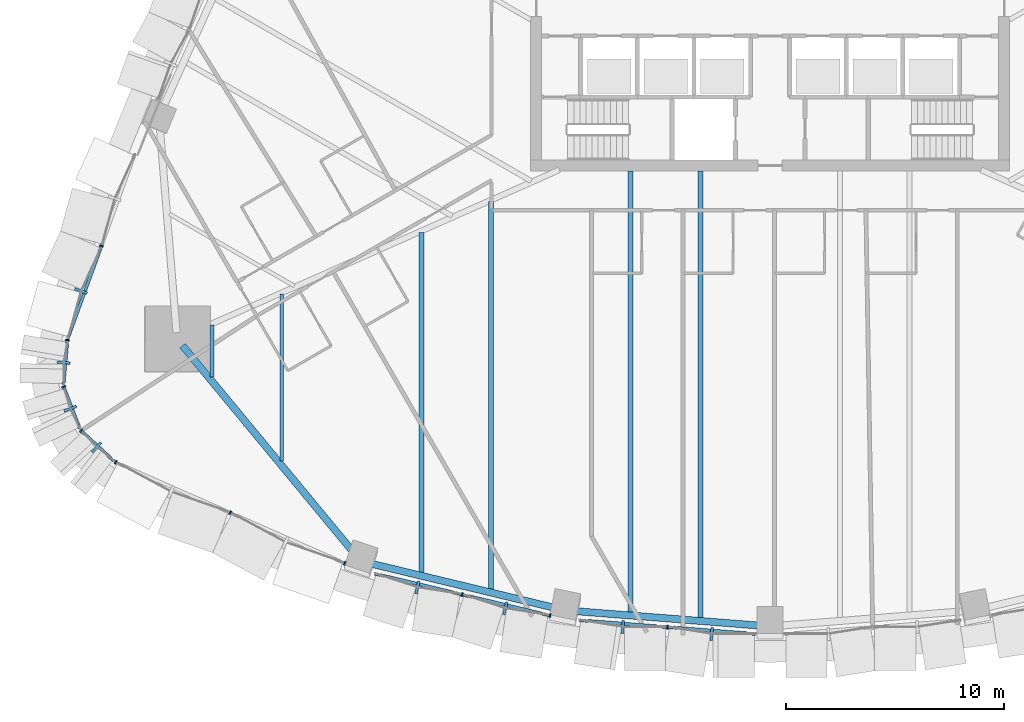
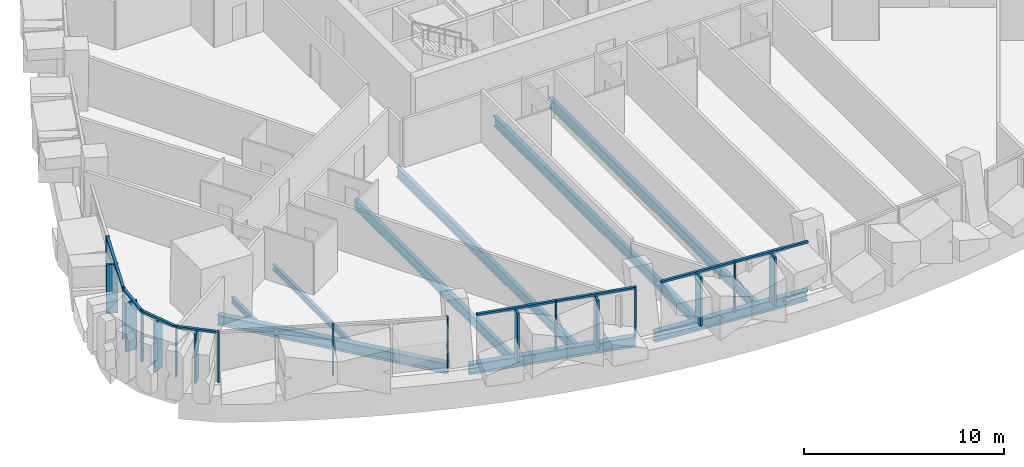
# One storey, part 2 of 27: 26 members, 9 beams, 7 elements without a shape of their own.
"""IFC4 building model written with IfcOpenShell, lengths in metres."""

import ifcopenshell
import ifcopenshell.guid

model = None  # the IFC model being written
_history = None  # IfcOwnerHistory: only IFC2X3 demands one
_inside = {}  # id of a spatial element -> (the spatial element, [elements in it])
_under = {}  # id of a project, library or spatial element -> (it, [spatial elements below it])
_declared = {}  # id of a project -> (the project, [libraries it declares])
_typed = {}  # id of a type object -> (the type object, [elements of that type])
_made_of = {}  # id of a material, layer set ... -> (it, [elements and type objects made of it])


def new_model(schema):
    """Start an empty IFC model of exactly this schema.

    Asked for "IFC4X3", IfcOpenShell would pick the latest addendum, in which some entities
    have other attributes; the version numbers below select the first issue.
    IFC2X3 requires an IfcOwnerHistory on every rooted entity: one is made here for all.
    """
    global model, _history
    if schema == "IFC4X3":
        model = ifcopenshell.file(schema_version=(4, 3, 0, 0))
    else:
        model = ifcopenshell.file(schema=schema)
    _inside.clear()
    _under.clear()
    _declared.clear()
    _typed.clear()
    _made_of.clear()
    _history = None
    if model.schema == "IFC2X3":
        org = make("IfcOrganization", Name="unknown")
        user = make(
            "IfcPersonAndOrganization",
            ThePerson=make("IfcPerson", FamilyName="unknown"),
            TheOrganization=org,
        )
        app = make(
            "IfcApplication",
            ApplicationDeveloper=org,
            Version="unknown",
            ApplicationFullName="unknown",
            ApplicationIdentifier="unknown",
        )
        _history = make(
            "IfcOwnerHistory",
            OwningUser=user,
            OwningApplication=app,
            ChangeAction="ADDED",
            CreationDate=0,
        )
    return model


def make(cls, **values):
    """One entity of the class cls with the attributes given. An attribute that is None is left unset."""
    return model.create_entity(
        cls, **{name: value for name, value in values.items() if value is not None}
    )


def rooted(cls, **values):
    """An entity with a GlobalId (a new one), such as an element, a storey or a relation."""
    return make(cls, GlobalId=ifcopenshell.guid.new(), OwnerHistory=_history, **values)


def si_unit(unit_type, name, prefix=None):
    """IfcSIUnit, for example si_unit("LENGTHUNIT", "METRE", prefix="MILLI")."""
    return make("IfcSIUnit", UnitType=unit_type, Prefix=prefix, Name=name)


def assignment(units):
    """IfcUnitAssignment: the units of a project."""
    return None if units is None else make("IfcUnitAssignment", Units=units)


def point(xyz):
    """IfcCartesianPoint."""
    return None if xyz is None else make("IfcCartesianPoint", Coordinates=xyz)


def direction(xyz):
    """IfcDirection."""
    return None if xyz is None else make("IfcDirection", DirectionRatios=xyz)


def frame(location, z_axis=None, x_axis=None):
    """IfcAxis2Placement3D, a coordinate frame: its origin and axes. An axis left out is left unset."""
    return make(
        "IfcAxis2Placement3D",
        Location=point(location),
        Axis=direction(z_axis),
        RefDirection=direction(x_axis),
    )


def frame_2d(location, x_axis=None):
    """IfcAxis2Placement2D, a coordinate frame in the plane: its origin and x axis."""
    return make(
        "IfcAxis2Placement2D", Location=point(location), RefDirection=direction(x_axis)
    )


def origin():
    """The frame at (0, 0, 0) with its axes left unset."""
    return frame((0.0, 0.0, 0.0))


def origin_2d():
    """The frame at (0, 0) in the plane with its x axis left unset."""
    return frame_2d((0.0, 0.0))


def place(relative_to, where):
    """IfcLocalPlacement: puts the frame where relative to a parent placement (None: the world)."""
    return make(
        "IfcLocalPlacement", PlacementRelTo=relative_to, RelativePlacement=where
    )


def context(
    kind, dimensions, precision=None, world=None, true_north=None, identifier=None
):
    """IfcGeometricRepresentationContext, for example the 3D "Model" context."""
    return make(
        "IfcGeometricRepresentationContext",
        ContextIdentifier=identifier,
        ContextType=kind,
        CoordinateSpaceDimension=dimensions,
        Precision=precision,
        WorldCoordinateSystem=world,
        TrueNorth=true_north,
    )


def subcontext(parent, identifier, kind, view, scale=None):
    """IfcGeometricRepresentationSubContext, for example "Body" below "Model"."""
    return make(
        "IfcGeometricRepresentationSubContext",
        ContextIdentifier=identifier,
        ContextType=kind,
        ParentContext=parent,
        TargetScale=scale,
        TargetView=view,
    )


def project(units=None, contexts=None):
    """IfcProject with its units and contexts."""
    return rooted(
        "IfcProject",
        Name="project",
        RepresentationContexts=contexts,
        UnitsInContext=assignment(units),
    )


def spatial(cls, under=None, at=None, **own):
    """A site, building, storey or space (cls), placed at a placement, below another one or the project."""
    s = rooted(cls, ObjectPlacement=at, **own)
    if under is not None:
        _under.setdefault(under.id(), (under, []))[1].append(s)
    return s


def profile(cls, at=None, kind="AREA", **sizes):
    """A parametric profile (cls). Its sizes go by their IFC names, for example OverallWidth=200.0."""
    return make(cls, ProfileType=kind, Position=at, **sizes)


def rectangle(**sizes):
    """IfcRectangleProfileDef."""
    return profile("IfcRectangleProfileDef", **sizes)


def i_section(**sizes):
    """IfcIShapeProfileDef."""
    return profile("IfcIShapeProfileDef", **sizes)


def extrude(swept, where, along, depth):
    """IfcExtrudedAreaSolid: the profile swept, set in the frame where, extruded along a direction by depth."""
    return make(
        "IfcExtrudedAreaSolid",
        SweptArea=swept,
        Position=where,
        ExtrudedDirection=direction(along),
        Depth=depth,
    )


def shape(context_of_items, identifier, shape_type, items):
    """IfcShapeRepresentation: the items that make up one representation, for example the "Body"."""
    return make(
        "IfcShapeRepresentation",
        ContextOfItems=context_of_items,
        RepresentationIdentifier=identifier,
        RepresentationType=shape_type,
        Items=items,
    )


def material(Name=None, Category=None):
    """IfcMaterial."""
    return make("IfcMaterial", Name=Name, Category=Category)


def layer(
    of_material, thickness, ventilated=None, Name=None, Category=None, Priority=None
):
    """IfcMaterialLayer: one layer of a wall or slab, of a material (None: an air gap)."""
    return make(
        "IfcMaterialLayer",
        Material=of_material,
        LayerThickness=thickness,
        IsVentilated=ventilated,
        Name=Name,
        Category=Category,
        Priority=Priority,
    )


def layer_set(layers, Name=None):
    """IfcMaterialLayerSet."""
    return make("IfcMaterialLayerSet", MaterialLayers=layers, LayerSetName=Name)


def material_profile(
    of_material, cross_section, Name=None, Category=None, Priority=None
):
    """IfcMaterialProfile: a cross section and its material."""
    return make(
        "IfcMaterialProfile",
        Name=Name,
        Material=of_material,
        Profile=cross_section,
        Priority=Priority,
        Category=Category,
    )


def profile_set(profiles, Name=None, composite=None):
    """IfcMaterialProfileSet."""
    return make(
        "IfcMaterialProfileSet",
        Name=Name,
        MaterialProfiles=profiles,
        CompositeProfile=composite,
    )


def made_of(thing, what):
    """Note that an element or type object is made of a material, layer set ...; save() writes the relation."""
    if what is not None:
        _made_of.setdefault(what.id(), (what, []))[1].append(thing)
    return thing


def type_object(cls, material=None, **own):
    """A type object (cls), such as IfcWallType, which elements share."""
    return made_of(rooted(cls, **own), material)


def element(
    cls,
    number,
    at=None,
    inside=None,
    cuts=None,
    type_object=None,
    material=None,
    context=None,
    identifier="Body",
    shape_type=None,
    held_by="IfcProductDefinitionShape",
    body=None,
    shapes=None,
    **own,
):
    """One element of the class cls, such as IfcWall. Its Tag is "e" and its number.

    at: its placement. inside: the storey or other place that contains it. cuts: it is an
    opening in that element (IfcRelVoidsElement). A single representation is given by context,
    identifier, shape_type and body (its items); several are given by shapes. held_by: the class
    of the entity that holds the representations. save() writes the other relations.
    """
    e = rooted(cls, Tag="e%d" % number, ObjectPlacement=at, **own)
    if body is not None:
        shapes = [shape(context, identifier, shape_type, body)]
    if shapes is not None:
        e.Representation = make(held_by, Representations=shapes)
    if inside is not None:
        _inside.setdefault(inside.id(), (inside, []))[1].append(e)
    if cuts is not None:
        rooted(
            "IfcRelVoidsElement", RelatingBuildingElement=cuts, RelatedOpeningElement=e
        )
    if type_object is not None:
        _typed.setdefault(type_object.id(), (type_object, []))[1].append(e)
    return made_of(e, material)


def aggregate(whole, parts):
    """IfcRelAggregates: a whole, such as a stair, and the parts it consists of."""
    return rooted("IfcRelAggregates", RelatingObject=whole, RelatedObjects=parts)


def save(model, path):
    """Write the relations noted so far, then the file.

    IfcRelAggregates (storeys below a building ...), IfcRelContainedInSpatialStructure (elements
    in a storey), IfcRelDefinesByType, IfcRelAssociatesMaterial and IfcRelDeclares: one each for
    every whole, place, type object, material and project.
    """
    for whole, parts in _under.values():
        aggregate(whole, parts)
    for where, things in _inside.values():
        rooted(
            "IfcRelContainedInSpatialStructure",
            RelatedElements=things,
            RelatingStructure=where,
        )
    for kind, things in _typed.values():
        rooted("IfcRelDefinesByType", RelatedObjects=things, RelatingType=kind)
    for what, things in _made_of.values():
        rooted("IfcRelAssociatesMaterial", RelatedObjects=things, RelatingMaterial=what)
    for by, libraries in _declared.values():
        rooted("IfcRelDeclares", RelatingContext=by, RelatedDefinitions=libraries)
    model.write(path)


model = new_model("IFC4")

# Units and contexts
model_context = context("Model", 3, precision=1e-05, world=origin(), true_north=direction((0.0, 1.0)))
body_context = subcontext(model_context, "Body", "Model", "MODEL_VIEW")
ifc_project = project(units=[si_unit("LENGTHUNIT", "METRE"), si_unit("AREAUNIT", "SQUARE_METRE"), si_unit("VOLUMEUNIT", "CUBIC_METRE"), si_unit("PLANEANGLEUNIT", "RADIAN"), si_unit("MASSUNIT", "GRAM", prefix="KILO")], contexts=[model_context])

# Site, building, storey
site_placement = place(None, origin())
site = spatial("IfcSite", under=ifc_project, at=site_placement, CompositionType="ELEMENT")
building_placement = place(site_placement, origin())
building = spatial("IfcBuilding", under=site, at=building_placement, Name="Sierra Prisma Convention Tower", CompositionType="ELEMENT")
storey_placement = place(building_placement, frame((0.0, 0.0, 48.0)))
storey = spatial("IfcBuildingStorey", under=building, at=storey_placement, Name="L07", CompositionType="ELEMENT", Elevation=48.0)

# Curtain wall, members
ifc_material_1 = material(Name="Aluminium and glass curtain wall", Category="aluminium")
ifc_layer = layer(ifc_material_1, 0.179931640625)
ifc_layer_set = layer_set([ifc_layer], Name="CW-2 Faceted crystal curtain wall")
curtain_wall_type = type_object("IfcCurtainWallType", Name="CW-2 Faceted crystal curtain wall", PredefinedType="NOTDEFINED", material=ifc_layer_set)
curtain_wall_1_placement = place(storey_placement, origin())
curtain_wall_1 = element("IfcCurtainWall", 1, at=curtain_wall_1_placement, inside=storey, type_object=curtain_wall_type, Name="CW-2 S2 L07", PredefinedType="NOTDEFINED")
ifc_material_2 = material(Name="Aluminium 6063-T6 bronze anodised", Category="aluminium")
ifc_material_profile_1 = material_profile(ifc_material_2, rectangle(XDim=0.1201171875, YDim=0.60009765625, at=origin_2d()), Name="ALU RIDGE BLADE 120x600")
ifc_profile_set_1 = profile_set([ifc_material_profile_1], Name="Aluminium 6063-T6 bronze anodised")
member_type_1 = type_object("IfcMemberType", Name="CW hip bronze", PredefinedType="MULLION", material=ifc_profile_set_1)
member_1_placement = place(storey_placement, frame((-16.202880859375, -27.135009765625, 0.0), z_axis=(0.0, 0.0, 1.0), x_axis=(0.972620113541, -0.232400763199, 0.0)))
member_1 = element("IfcMember", 2, at=member_1_placement, type_object=member_type_1, Name="CW-2 ridge S2.1", PredefinedType="MULLION", context=body_context, shape_type="SweptSolid", body=[
    extrude(rectangle(XDim=0.1201171875, YDim=0.60009765625, at=origin_2d()), origin(), (0.0, 0.0, 1.0), 2.97998046875),
])
member_2_placement = place(storey_placement, frame((-12.16650390625, -28.099609375, 0.0), z_axis=(0.0, 0.0, 1.0), x_axis=(0.972620113541, -0.232400763199, 0.0)))
member_2 = element("IfcMember", 3, at=member_2_placement, type_object=member_type_1, Name="CW-2 ridge S2.2", PredefinedType="MULLION", context=body_context, shape_type="SweptSolid", body=[
    extrude(rectangle(XDim=0.1201171875, YDim=0.60009765625, at=origin_2d()), origin(), (0.0, 0.0, 1.0), 2.97998046875),
])

curtain_wall_2_placement = place(storey_placement, origin())
curtain_wall_2 = element("IfcCurtainWall", 4, at=curtain_wall_2_placement, inside=storey, type_object=curtain_wall_type, Name="CW-2 S3 L07", PredefinedType="NOTDEFINED")
member_3_placement = place(storey_placement, frame((-6.76171875, -28.9560546875, 0.0), z_axis=(0.0, 0.0, 1.0), x_axis=(0.996986975923, -0.077569129432, 0.0)))
member_3 = element("IfcMember", 5, at=member_3_placement, type_object=member_type_1, Name="CW-2 ridge S3.1", PredefinedType="MULLION", context=body_context, shape_type="SweptSolid", body=[
    extrude(rectangle(XDim=0.1201171875, YDim=0.60009765625, at=origin_2d()), origin(), (0.0, 0.0, 1.0), 2.97998046875),
])
member_4_placement = place(storey_placement, frame((-2.68408203125, -29.273193359375, 0.0), z_axis=(0.0, 0.0, 1.0), x_axis=(0.996986975923, -0.077569129432, 0.0)))
member_4 = element("IfcMember", 6, at=member_4_placement, type_object=member_type_1, Name="CW-2 ridge S3.2", PredefinedType="MULLION", context=body_context, shape_type="SweptSolid", body=[
    extrude(rectangle(XDim=0.1201171875, YDim=0.60009765625, at=origin_2d()), origin(), (0.0, 0.0, 1.0), 2.97998046875),
])

# Curtain wall, member
curtain_wall_3_placement = place(storey_placement, origin())
curtain_wall_3 = element("IfcCurtainWall", 7, at=curtain_wall_3_placement, inside=storey, type_object=curtain_wall_type, Name="CW-2 NW6 L07", PredefinedType="NOTDEFINED")
member_5_placement = place(storey_placement, frame((-31.658203125, -13.514404296875, 0.0), z_axis=(0.0, 0.0, 1.0), x_axis=(-0.341729844272, -0.939798230225, 0.0)))
member_5 = element("IfcMember", 8, at=member_5_placement, type_object=member_type_1, Name="CW-2 ridge NW6.2", PredefinedType="MULLION", context=body_context, shape_type="SweptSolid", body=[
    extrude(rectangle(XDim=0.1201171875, YDim=0.60009765625, at=origin_2d()), origin(), (0.0, 0.0, 1.0), 2.97998046875),
])

curtain_wall_4_placement = place(storey_placement, origin())
curtain_wall_4 = element("IfcCurtainWall", 9, at=curtain_wall_4_placement, inside=storey, type_object=curtain_wall_type, Name="CW-2 SW1 L07", PredefinedType="NOTDEFINED")
member_6_placement = place(storey_placement, frame((-32.45166015625, -16.803955078125, 0.0), z_axis=(0.0, 0.0, 1.0), x_axis=(-0.086655140855, -0.996238368345, 0.0)))
member_6 = element("IfcMember", 10, at=member_6_placement, type_object=member_type_1, Name="CW-2 ridge SW1.1", PredefinedType="MULLION", context=body_context, shape_type="SweptSolid", body=[
    extrude(rectangle(XDim=0.1201171875, YDim=0.60009765625, at=origin_2d()), origin(), (0.0, 0.0, 1.0), 2.97998046875),
])

curtain_wall_5_placement = place(storey_placement, origin())
curtain_wall_5 = element("IfcCurtainWall", 11, at=curtain_wall_5_placement, inside=storey, type_object=curtain_wall_type, Name="CW-2 SW2 L07", PredefinedType="NOTDEFINED")
member_7_placement = place(storey_placement, frame((-32.14990234375, -18.92431640625, 0.0), z_axis=(0.0, 0.0, 1.0), x_axis=(0.361186603862, -0.932493558793, 0.0)))
member_7 = element("IfcMember", 12, at=member_7_placement, type_object=member_type_1, Name="CW-2 ridge SW2.1", PredefinedType="MULLION", context=body_context, shape_type="SweptSolid", body=[
    extrude(rectangle(XDim=0.1201171875, YDim=0.60009765625, at=origin_2d()), origin(), (0.0, 0.0, 1.0), 2.97998046875),
])

curtain_wall_6_placement = place(storey_placement, origin())
curtain_wall_6 = element("IfcCurtainWall", 13, at=curtain_wall_6_placement, inside=storey, type_object=curtain_wall_type, Name="CW-2 SW3 L07", PredefinedType="NOTDEFINED")
member_8_placement = place(storey_placement, frame((-30.94482421875, -20.694580078125, 0.0), z_axis=(0.0, 0.0, 1.0), x_axis=(0.73512031257, -0.677936668169, 0.0)))
member_8 = element("IfcMember", 14, at=member_8_placement, type_object=member_type_1, Name="CW-2 ridge SW3.1", PredefinedType="MULLION", context=body_context, shape_type="SweptSolid", body=[
    extrude(rectangle(XDim=0.1201171875, YDim=0.60009765625, at=origin_2d()), origin(), (0.0, 0.0, 1.0), 2.97998046875),
])

# Curtain wall, members
curtain_wall_7_placement = place(storey_placement, origin())
curtain_wall_7 = element("IfcCurtainWall", 15, at=curtain_wall_7_placement, inside=storey, type_object=curtain_wall_type, Name="CW-2 S1 L07", PredefinedType="NOTDEFINED")
ifc_material_3 = material(Name="Aluminium 6063-T6 bronze anodised", Category="aluminium")
ifc_material_profile_2 = material_profile(ifc_material_3, rectangle(XDim=0.179931640625, YDim=0.070068359375, at=origin_2d()), Name="ALU MULLION 70x180")
ifc_profile_set_2 = profile_set([ifc_material_profile_2], Name="Aluminium 6063-T6 bronze anodised")
member_type_2 = type_object("IfcMemberType", Name="CW mullion bronze", PredefinedType="MULLION", material=ifc_profile_set_2)
member_9_placement = place(storey_placement, frame((-30.064208984375, -21.3828125, 0.0), z_axis=(0.0, 0.0, 1.0), x_axis=(0.403462855343, 0.914996024231, 0.0)))
member_9 = element("IfcMember", 16, at=member_9_placement, type_object=member_type_2, Name="CW-1 mullion S1.1", PredefinedType="MULLION", context=body_context, shape_type="SweptSolid", body=[
    extrude(rectangle(XDim=0.179931640625, YDim=0.070068359375, at=origin_2d()), origin(), (0.0, 0.0, 1.0), 3.10009765625),
])
member_10_placement = place(storey_placement, frame((-24.80224609375, -23.703125, 0.0), z_axis=(0.0, 0.0, 1.0), x_axis=(0.403462855343, 0.914996024231, 0.0)))
member_10 = element("IfcMember", 17, at=member_10_placement, type_object=member_type_2, Name="CW-1 mullion S1.2", PredefinedType="MULLION", context=body_context, shape_type="SweptSolid", body=[
    extrude(rectangle(XDim=0.179931640625, YDim=0.070068359375, at=origin_2d()), origin(), (0.0, 0.0, 1.0), 3.10009765625),
])
member_11_placement = place(storey_placement, frame((-19.540283203125, -26.0234375, 0.0), z_axis=(0.0, 0.0, 1.0), x_axis=(0.403462855343, 0.914996024231, 0.0)))
member_11 = element("IfcMember", 18, at=member_11_placement, type_object=member_type_2, Name="CW-1 mullion S1.3", PredefinedType="MULLION", context=body_context, shape_type="SweptSolid", body=[
    extrude(rectangle(XDim=0.179931640625, YDim=0.070068359375, at=origin_2d()), origin(), (0.0, 0.0, 1.0), 3.10009765625),
])
aggregate(curtain_wall_7, [member_9, member_10, member_11])

# Member
member_12_placement = place(storey_placement, frame((-14.1474609375, -27.461181640625, 0.0), z_axis=(0.0, 0.0, 1.0), x_axis=(0.232400763199, 0.972620113541, 0.0)))
member_12 = element("IfcMember", 19, at=member_12_placement, type_object=member_type_2, Name="CW-1 mullion S2.2", PredefinedType="MULLION", context=body_context, shape_type="SweptSolid", body=[
    extrude(rectangle(XDim=0.179931640625, YDim=0.070068359375, at=origin_2d()), origin(), (0.0, 0.0, 1.0), 3.10009765625),
])

member_13_placement = place(storey_placement, frame((-10.11083984375, -28.42578125, 0.0), z_axis=(0.0, 0.0, 1.0), x_axis=(0.232400763199, 0.972620113541, 0.0)))
member_13 = element("IfcMember", 20, at=member_13_placement, type_object=member_type_2, Name="CW-1 mullion S2.3", PredefinedType="MULLION", context=body_context, shape_type="SweptSolid", body=[
    extrude(rectangle(XDim=0.179931640625, YDim=0.070068359375, at=origin_2d()), origin(), (0.0, 0.0, 1.0), 3.10009765625),
])

member_14_placement = place(storey_placement, frame((-4.710693359375, -28.95703125, 0.0), z_axis=(0.0, 0.0, 1.0), x_axis=(0.077569129432, 0.996986975923, 0.0)))
member_14 = element("IfcMember", 21, at=member_14_placement, type_object=member_type_2, Name="CW-1 mullion S3.2", PredefinedType="MULLION", context=body_context, shape_type="SweptSolid", body=[
    extrude(rectangle(XDim=0.179931640625, YDim=0.070068359375, at=origin_2d()), origin(), (0.0, 0.0, 1.0), 3.10009765625),
])

member_15_placement = place(storey_placement, frame((-30.719970703125, -11.447509765625, 0.0), z_axis=(0.0, 0.0, 1.0), x_axis=(0.939798230225, -0.341729844272, 0.0)))
member_15 = element("IfcMember", 22, at=member_15_placement, type_object=member_type_2, Name="CW-1 mullion NW6.2", PredefinedType="MULLION", context=body_context, shape_type="SweptSolid", body=[
    extrude(rectangle(XDim=0.179931640625, YDim=0.070068359375, at=origin_2d()), origin(), (0.0, 0.0, 1.0), 3.10009765625),
])

member_16_placement = place(storey_placement, frame((-32.28173828125, -15.76904296875, 0.0), z_axis=(0.0, 0.0, 1.0), x_axis=(0.996238368345, -0.086655140855, 0.0)))
member_16 = element("IfcMember", 23, at=member_16_placement, type_object=member_type_2, Name="CW-1 mullion SW1.1", PredefinedType="MULLION", context=body_context, shape_type="SweptSolid", body=[
    extrude(rectangle(XDim=0.179931640625, YDim=0.070068359375, at=origin_2d()), origin(), (0.0, 0.0, 1.0), 3.10009765625),
])

member_17_placement = place(storey_placement, frame((-32.453369140625, -17.920166015625, 0.0), z_axis=(0.0, 0.0, 1.0), x_axis=(0.932493558793, 0.361186603862, 0.0)))
member_17 = element("IfcMember", 24, at=member_17_placement, type_object=member_type_2, Name="CW-1 mullion SW2.1", PredefinedType="MULLION", context=body_context, shape_type="SweptSolid", body=[
    extrude(rectangle(XDim=0.179931640625, YDim=0.070068359375, at=origin_2d()), origin(), (0.0, 0.0, 1.0), 3.10009765625),
])

member_18_placement = place(storey_placement, frame((-31.65966796875, -19.927001953125, 0.0), z_axis=(0.0, 0.0, 1.0), x_axis=(0.677936668169, 0.73512031257, 0.0)))
member_18 = element("IfcMember", 25, at=member_18_placement, type_object=member_type_2, Name="CW-1 mullion SW3.1", PredefinedType="MULLION", context=body_context, shape_type="SweptSolid", body=[
    extrude(rectangle(XDim=0.179931640625, YDim=0.070068359375, at=origin_2d()), origin(), (0.0, 0.0, 1.0), 3.10009765625),
])

ifc_material_4 = material(Name="Aluminium 6063-T6 bronze anodised", Category="aluminium")
ifc_material_profile_3 = material_profile(ifc_material_4, rectangle(XDim=0.139892578125, YDim=0.1201171875, at=origin_2d()), Name="ALU TRANSOM 120x140")
ifc_profile_set_3 = profile_set([ifc_material_profile_3], Name="Aluminium 6063-T6 bronze anodised")
member_type_3 = type_object("IfcMemberType", Name="CW transom bronze", PredefinedType="USERDEFINED", material=ifc_profile_set_3)
member_19_placement = place(storey_placement, frame((-18.14990234375, -26.5048828125, 3.0400390625), z_axis=(0.972620362242, -0.232399722359, 0.0), x_axis=(0.232399722359, 0.972620362242, 0.0)))
member_19 = element("IfcMember", 26, at=member_19_placement, type_object=member_type_3, Name="CW-1 transom S2.1", ObjectType="TRANSOM", PredefinedType="USERDEFINED", context=body_context, shape_type="SweptSolid", body=[
    extrude(rectangle(XDim=0.139892578125, YDim=0.1201171875, at=origin_2d()), origin(), (0.0, 0.0, 1.0), 4.080322265625),
])

member_20_placement = place(storey_placement, frame((-14.11328125, -27.46923828125, 3.0400390625), z_axis=(0.972620362242, -0.232399722359, 0.0), x_axis=(0.232399722359, 0.972620362242, 0.0)))
member_20 = element("IfcMember", 27, at=member_20_placement, type_object=member_type_3, Name="CW-1 transom S2.2", ObjectType="TRANSOM", PredefinedType="USERDEFINED", context=body_context, shape_type="SweptSolid", body=[
    extrude(rectangle(XDim=0.139892578125, YDim=0.1201171875, at=origin_2d()), origin(), (0.0, 0.0, 1.0), 4.080322265625),
])

aggregate(curtain_wall_1, [member_12, member_13, member_19, member_1, member_20, member_2])

member_21_placement = place(storey_placement, frame((-8.753173828125, -28.642333984375, 3.0400390625), z_axis=(0.996982960156, -0.077620726353, 0.0), x_axis=(0.077620726353, 0.996982960156, 0.0)))
member_21 = element("IfcMember", 28, at=member_21_placement, type_object=member_type_3, Name="CW-1 transom S3.1", ObjectType="TRANSOM", PredefinedType="USERDEFINED", context=body_context, shape_type="SweptSolid", body=[
    extrude(rectangle(XDim=0.139892578125, YDim=0.1201171875, at=origin_2d()), origin(), (0.0, 0.0, 1.0), 4.019775390625),
])

member_22_placement = place(storey_placement, frame((-4.67578125, -28.959716796875, 3.0400390625), z_axis=(0.996988023839, -0.077555659506, 0.0), x_axis=(0.077555659506, 0.996988023839, 0.0)))
member_22 = element("IfcMember", 29, at=member_22_placement, type_object=member_type_3, Name="CW-1 transom S3.2", ObjectType="TRANSOM", PredefinedType="USERDEFINED", context=body_context, shape_type="SweptSolid", body=[
    extrude(rectangle(XDim=0.139892578125, YDim=0.1201171875, at=origin_2d()), origin(), (0.0, 0.0, 1.0), 4.02001953125),
])

aggregate(curtain_wall_2, [member_14, member_21, member_3, member_22, member_4])

member_23_placement = place(storey_placement, frame((-30.73193359375, -11.48046875, 3.0400390625), z_axis=(-0.341751860741, -0.939790224295, 0.0), x_axis=(0.939790224295, -0.341751860741, 0.0)))
member_23 = element("IfcMember", 30, at=member_23_placement, type_object=member_type_3, Name="CW-1 transom NW6.2", ObjectType="TRANSOM", PredefinedType="USERDEFINED", context=body_context, shape_type="SweptSolid", body=[
    extrude(rectangle(XDim=0.139892578125, YDim=0.1201171875, at=origin_2d()), origin(), (0.0, 0.0, 1.0), 4.456298828125),
])

aggregate(curtain_wall_3, [member_15, member_23, member_5])

member_24_placement = place(storey_placement, frame((-32.284912109375, -15.803955078125, 3.0400390625), z_axis=(-0.086593135622, -0.996243759761, 0.0), x_axis=(0.996243759761, -0.086593135622, 0.0)))
member_24 = element("IfcMember", 31, at=member_24_placement, type_object=member_type_3, Name="CW-1 transom SW1.1", ObjectType="TRANSOM", PredefinedType="USERDEFINED", context=body_context, shape_type="SweptSolid", body=[
    extrude(rectangle(XDim=0.139892578125, YDim=0.1201171875, at=origin_2d()), origin(), (0.0, 0.0, 1.0), 2.021484375),
])

aggregate(curtain_wall_4, [member_16, member_24, member_6])

member_25_placement = place(storey_placement, frame((-32.44091796875, -17.952880859375, 3.0400390625), z_axis=(0.361187198346, -0.932493328529, 0.0), x_axis=(0.932493328529, 0.361187198346, 0.0)))
member_25 = element("IfcMember", 32, at=member_25_placement, type_object=member_type_3, Name="CW-1 transom SW2.1", ObjectType="TRANSOM", PredefinedType="USERDEFINED", context=body_context, shape_type="SweptSolid", body=[
    extrude(rectangle(XDim=0.139892578125, YDim=0.1201171875, at=origin_2d()), origin(), (0.0, 0.0, 1.0), 2.021728515625),
])

aggregate(curtain_wall_5, [member_17, member_25, member_7])

member_26_placement = place(storey_placement, frame((-31.6337890625, -19.95068359375, 3.0400390625), z_axis=(0.735090434452, -0.677969065059, 0.0), x_axis=(0.677969065059, 0.735090434452, 0.0)))
member_26 = element("IfcMember", 33, at=member_26_placement, type_object=member_type_3, Name="CW-1 transom SW3.1", ObjectType="TRANSOM", PredefinedType="USERDEFINED", context=body_context, shape_type="SweptSolid", body=[
    extrude(rectangle(XDim=0.139892578125, YDim=0.1201171875, at=origin_2d()), origin(), (0.0, 0.0, 1.0), 2.021728515625),
])

aggregate(curtain_wall_6, [member_18, member_26, member_8])

# Beams
ifc_material_5 = material(Name="Steel ASTM A992 Gr 50", Category="steel")
ifc_material_profile_4 = material_profile(ifc_material_5, i_section(OverallWidth=0.172119140625, OverallDepth=0.35791015625, WebThickness=0.0078125, FlangeThickness=0.01318359375, at=origin_2d()), Name="W360x57")
ifc_profile_set_4 = profile_set([ifc_material_profile_4], Name="Steel ASTM A992 Gr 50")
beam_type_1 = type_object("IfcBeamType", Name="Floor joist W360x57", PredefinedType="JOIST", material=ifc_profile_set_4)
beam_1_placement = place(storey_placement, frame((-25.639404296875, -17.459716796875, -0.3291015625), z_axis=(0.0, 1.0, 0.0), x_axis=(-1.0, 0.0, 0.0)))
element("IfcBeam", 34, at=beam_1_placement, inside=storey, type_object=beam_type_1, Name="Floor joist L07 S01", PredefinedType="JOIST", context=body_context, shape_type="SweptSolid", body=[
    extrude(i_section(OverallWidth=0.172119140625, OverallDepth=0.35791015625, WebThickness=0.0078125, FlangeThickness=0.01318359375, at=origin_2d()), origin(), (0.0, 0.0, 1.0), 2.3837890625),
])
beam_2_placement = place(storey_placement, frame((-22.434326171875, -21.3330078125, -0.3291015625), z_axis=(0.0, 1.0, 0.0), x_axis=(-1.0, 0.0, 0.0)))
element("IfcBeam", 35, at=beam_2_placement, inside=storey, type_object=beam_type_1, Name="Floor joist L07 S02", PredefinedType="JOIST", context=body_context, shape_type="SweptSolid", body=[
    extrude(i_section(OverallWidth=0.172119140625, OverallDepth=0.35791015625, WebThickness=0.0078125, FlangeThickness=0.01318359375, at=origin_2d()), origin(), (0.0, 0.0, 1.0), 7.677001953125),
])
ifc_material_6 = material(Name="Steel ASTM A992 Gr 50", Category="steel")
ifc_material_profile_5 = material_profile(ifc_material_6, i_section(OverallWidth=0.22802734375, OverallDepth=0.60302734375, WebThickness=0.010498046875, FlangeThickness=0.014892578125, at=origin_2d()), Name="W610x101")
ifc_profile_set_5 = profile_set([ifc_material_profile_5], Name="Steel ASTM A992 Gr 50")
beam_type_2 = type_object("IfcBeamType", Name="Floor joist W610x101", PredefinedType="JOIST", material=ifc_profile_set_5)
beam_3_placement = place(storey_placement, frame((-16.024658203125, -26.4794921875, -0.451416015625), z_axis=(0.0, 1.0, 0.0), x_axis=(-1.0, 0.0, 0.0)))
element("IfcBeam", 36, at=beam_3_placement, inside=storey, type_object=beam_type_2, Name="Floor joist L07 S04", PredefinedType="JOIST", context=body_context, shape_type="SweptSolid", body=[
    extrude(i_section(OverallWidth=0.22802734375, OverallDepth=0.60302734375, WebThickness=0.010498046875, FlangeThickness=0.014892578125, at=origin_2d()), origin(), (0.0, 0.0, 1.0), 15.66357421875),
])
beam_4_placement = place(storey_placement, frame((-12.819580078125, -27.250732421875, -0.451416015625), z_axis=(0.0, 1.0, 0.0), x_axis=(-1.0, 0.0, 0.0)))
element("IfcBeam", 37, at=beam_4_placement, inside=storey, type_object=beam_type_2, Name="Floor joist L07 S05", PredefinedType="JOIST", context=body_context, shape_type="SweptSolid", body=[
    extrude(i_section(OverallWidth=0.22802734375, OverallDepth=0.60302734375, WebThickness=0.010498046875, FlangeThickness=0.014892578125, at=origin_2d()), origin(), (0.0, 0.0, 1.0), 17.854736328125),
])
beam_5_placement = place(storey_placement, frame((-6.409912109375, -28.308349609375, -0.451416015625), z_axis=(0.0, 1.0, 0.0), x_axis=(-1.0, 0.0, 0.0)))
element("IfcBeam", 38, at=beam_5_placement, inside=storey, type_object=beam_type_2, Name="Floor joist L07 S07", PredefinedType="JOIST", context=body_context, shape_type="SweptSolid", body=[
    extrude(i_section(OverallWidth=0.22802734375, OverallDepth=0.60302734375, WebThickness=0.010498046875, FlangeThickness=0.014892578125, at=origin_2d()), origin(), (0.0, 0.0, 1.0), 20.308349609375),
])
beam_6_placement = place(storey_placement, frame((-3.204833984375, -28.5595703125, -0.451416015625), z_axis=(0.0, 1.0, 0.0), x_axis=(-1.0, 0.0, 0.0)))
element("IfcBeam", 39, at=beam_6_placement, inside=storey, type_object=beam_type_2, Name="Floor joist L07 S08", PredefinedType="JOIST", context=body_context, shape_type="SweptSolid", body=[
    extrude(i_section(OverallWidth=0.22802734375, OverallDepth=0.60302734375, WebThickness=0.010498046875, FlangeThickness=0.014892578125, at=origin_2d()), origin(), (0.0, 0.0, 1.0), 20.5595703125),
])
ifc_material_7 = material(Name="Steel ASTM A992 Gr 50", Category="steel")
ifc_material_profile_6 = material_profile(ifc_material_7, i_section(OverallWidth=0.324951171875, OverallDepth=0.615966796875, WebThickness=0.013916015625, FlangeThickness=0.021484375, at=origin_2d()), Name="W610x174")
ifc_profile_set_6 = profile_set([ifc_material_profile_6], Name="Steel ASTM A992 Gr 50")
beam_type_3 = type_object("IfcBeamType", Name="Spandrel beam W610x174", PredefinedType="BEAM", material=ifc_profile_set_6)
beam_7_placement = place(storey_placement, frame((-26.99365234375, -16.028076171875, -0.4580078125), z_axis=(0.637506990083, -0.770444571397, 0.0), x_axis=(0.770444571397, 0.637506990083, 0.0)))
element("IfcBeam", 40, at=beam_7_placement, inside=storey, type_object=beam_type_3, Name="Spandrel L07-01", PredefinedType="BEAM", context=body_context, shape_type="SweptSolid", body=[
    extrude(i_section(OverallWidth=0.324951171875, OverallDepth=0.615966796875, WebThickness=0.013916015625, FlangeThickness=0.021484375, at=origin_2d()), origin(), (0.0, 0.0, 1.0), 12.260498046875),
])
beam_8_placement = place(storey_placement, frame((-18.3330078125, -26.041259765625, -0.4580078125), z_axis=(0.97225419303, -0.233926877753, 0.0), x_axis=(0.233926877753, 0.97225419303, 0.0)))
element("IfcBeam", 41, at=beam_8_placement, inside=storey, type_object=beam_type_3, Name="Spandrel L07-02", PredefinedType="BEAM", context=body_context, shape_type="SweptSolid", body=[
    extrude(i_section(OverallWidth=0.324951171875, OverallDepth=0.615966796875, WebThickness=0.013916015625, FlangeThickness=0.021484375, at=origin_2d()), origin(), (0.0, 0.0, 1.0), 8.684326171875),
])
beam_9_placement = place(storey_placement, frame((-8.94091796875, -28.22314453125, -0.4580078125), z_axis=(0.996945013958, -0.078106588356, 0.0), x_axis=(0.078106588356, 0.996945013958, 0.0)))
element("IfcBeam", 42, at=beam_9_placement, inside=storey, type_object=beam_type_3, Name="Spandrel L07-03", PredefinedType="BEAM", context=body_context, shape_type="SweptSolid", body=[
    extrude(i_section(OverallWidth=0.324951171875, OverallDepth=0.615966796875, WebThickness=0.013916015625, FlangeThickness=0.021484375, at=origin_2d()), origin(), (0.0, 0.0, 1.0), 8.486328125),
])

save(model, "model.ifc")
